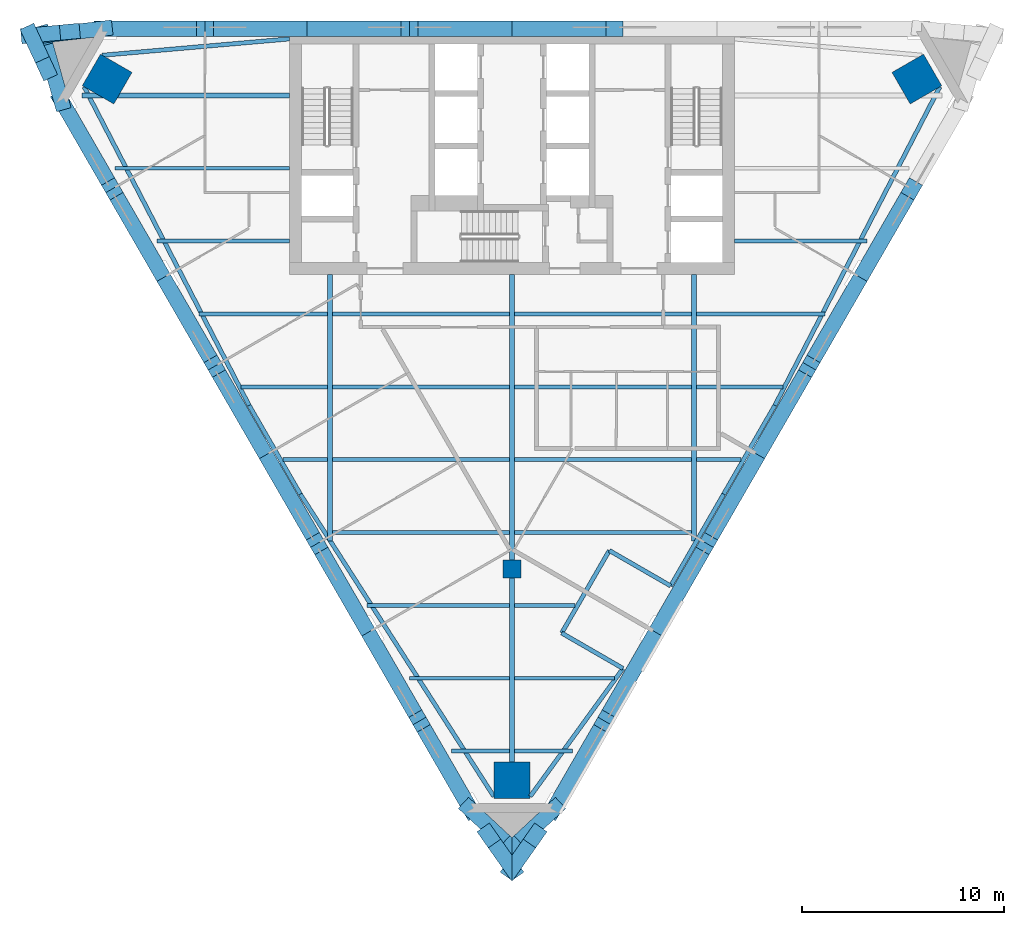
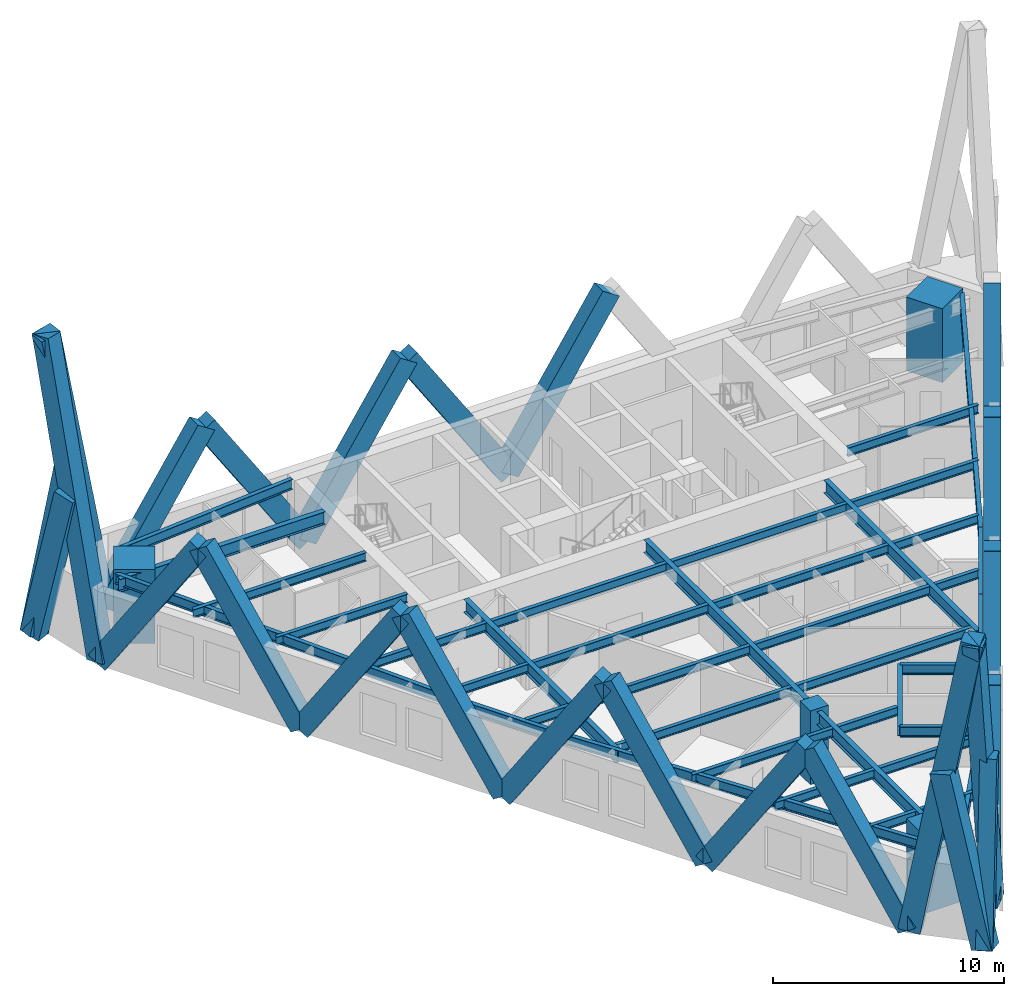
# One storey, part 1 of 8: 39 beams, 28 members, 4 columns.
"""IFC4 building model written with IfcOpenShell, lengths in metres."""

from ifc_helpers import new_model, si_unit, direction, frame, origin, origin_2d, place, context, subcontext, project, spatial, rectangle, i_section, extrude, material, material_profile, profile_set, type_object, element, save


model = new_model("IFC4")

# Units and contexts
model_context = context("Model", 3, precision=1e-05, world=origin(), true_north=direction((0.0, 1.0)))
body_context = subcontext(model_context, "Body", "Model", "MODEL_VIEW")
ifc_project = project(units=[si_unit("LENGTHUNIT", "METRE"), si_unit("AREAUNIT", "SQUARE_METRE"), si_unit("VOLUMEUNIT", "CUBIC_METRE"), si_unit("PLANEANGLEUNIT", "RADIAN"), si_unit("MASSUNIT", "GRAM", prefix="KILO")], contexts=[model_context])

# Site, building, storey
site_placement = place(None, origin())
site = spatial("IfcSite", under=ifc_project, at=site_placement, CompositionType="ELEMENT")
building_placement = place(site_placement, origin())
building = spatial("IfcBuilding", under=site, at=building_placement, Name="Aloe Facet Convention Tower", CompositionType="ELEMENT")
storey_placement = place(building_placement, frame((0.0, 0.0, 159.800048828125)))
storey = spatial("IfcBuildingStorey", under=building, at=storey_placement, Name="L40", CompositionType="ELEMENT", Elevation=159.800048828125)

# Columns
ifc_material_1 = material(Name="Concrete C70/85", Category="concrete")
ifc_material_profile_1 = material_profile(ifc_material_1, rectangle(XDim=0.89990234375, YDim=0.89990234375, at=origin_2d()), Name="SF-GC-Z3")
ifc_profile_set_1 = profile_set([ifc_material_profile_1], Name="Concrete C70/85")
column_type_1 = type_object("IfcColumnType", Name="SF-GC-Z3", PredefinedType="COLUMN", material=ifc_profile_set_1)
column_placement = place(storey_placement, frame((80.0, 108.0, 0.0), z_axis=(0.0, 0.0, 1.0), x_axis=(1.0, 0.0, 0.0)))
element("IfcColumn", 1, at=column_placement, inside=storey, type_object=column_type_1, Name="Gravity column GC-Z3-9D", PredefinedType="COLUMN", context=body_context, shape_type="SweptSolid", body=[
    extrude(rectangle(XDim=0.89990234375, YDim=0.89990234375, at=origin_2d()), origin(), (0.0, 0.0, 1.0), 3.89990234375),
])
ifc_material_2 = material(Name="Concrete C80/95", Category="concrete")
ifc_material_profile_2 = material_profile(ifc_material_2, rectangle(XDim=1.800048828125, YDim=1.800048828125, at=origin_2d()), Name="STW-MC-Z3")
ifc_profile_set_2 = profile_set([ifc_material_profile_2], Name="Concrete C80/95")
column_type_2 = type_object("IfcColumnType", Name="STW-MC-Z3", PredefinedType="COLUMN", material=ifc_profile_set_2)
for number, where, z_axis, x_axis, name in (
    (2, (100.00732421875, 132.208251953125, 0.0), (0.0, 0.0, 1.0), (-0.5, 0.866025403784, 0.0), "Mega-column MC-NE-L40"),
    (3, (59.99267578125, 132.208251953125, 0.0), (0.0, 0.0, 1.0), (-0.5, -0.866025403784, 0.0), "Mega-column MC-NW-L40"),
    (4, (80.0, 97.55419921875, 0.0), (0.0, 0.0, 1.0), (1.0, 0.0, 0.0), "Mega-column MC-S-L40"),
):
    element("IfcColumn", number, at=place(storey_placement, frame(where, z_axis=z_axis, x_axis=x_axis)), inside=storey, type_object=column_type_2, Name=name, PredefinedType="COLUMN", context=body_context, shape_type="SweptSolid", body=[
        extrude(rectangle(XDim=1.800048828125, YDim=1.800048828125, at=origin_2d()), origin(), (0.0, 0.0, 1.0), 3.89990234375),
    ])

# Beams
ifc_material_3 = material(Name="Steel S355", Category="steel")
ifc_material_profile_3 = material_profile(ifc_material_3, i_section(OverallWidth=0.19140625, OverallDepth=0.4599609375, WebThickness=0.010009765625, FlangeThickness=0.01611328125, FilletRadius=0.01025390625, at=origin_2d()), Name="UB 457x191x82")
ifc_profile_set_3 = profile_set([ifc_material_profile_3], Name="Steel S355")
beam_type_1 = type_object("IfcBeamType", Name="SF-B-UB457x191x82", PredefinedType="BEAM", material=ifc_profile_set_3)
beam_1_placement = place(storey_placement, frame((60.373779296875, 127.800048828125, 3.52001953125), z_axis=(1.0, 0.0, 0.0), x_axis=(0.0, 1.0, 0.0)))
element("IfcBeam", 5, at=beam_1_placement, inside=storey, type_object=beam_type_1, Name="Floor beam FB-Z3H-019", PredefinedType="BEAM", context=body_context, shape_type="SweptSolid", body=[
    extrude(i_section(OverallWidth=0.19140625, OverallDepth=0.4599609375, WebThickness=0.010009765625, FlangeThickness=0.01611328125, FilletRadius=0.01025390625, at=origin_2d()), origin(), (0.0, 0.0, 1.0), 8.626220703125),
])
beam_2_placement = place(storey_placement, frame((62.452392578125, 124.199951171875, 3.52001953125), z_axis=(1.0, 0.0, 0.0), x_axis=(0.0, 1.0, 0.0)))
element("IfcBeam", 6, at=beam_2_placement, inside=storey, type_object=beam_type_1, Name="Floor beam FB-Z3H-020", PredefinedType="BEAM", context=body_context, shape_type="SweptSolid", body=[
    extrude(i_section(OverallWidth=0.19140625, OverallDepth=0.4599609375, WebThickness=0.010009765625, FlangeThickness=0.01611328125, FilletRadius=0.01025390625, at=origin_2d()), origin(), (0.0, 0.0, 1.0), 6.547607421875),
])
beam_3_placement = place(storey_placement, frame((64.53076171875, 120.60009765625, 3.52001953125), z_axis=(1.0, 0.0, 0.0), x_axis=(0.0, 1.0, 0.0)))
element("IfcBeam", 7, at=beam_3_placement, inside=storey, type_object=beam_type_1, Name="Floor beam FB-Z3H-021", PredefinedType="BEAM", context=body_context, shape_type="SweptSolid", body=[
    extrude(i_section(OverallWidth=0.19140625, OverallDepth=0.4599609375, WebThickness=0.010009765625, FlangeThickness=0.01611328125, FilletRadius=0.01025390625, at=origin_2d()), origin(), (0.0, 0.0, 1.0), 6.3427734375),
])
beam_4_placement = place(storey_placement, frame((66.609130859375, 117.0, 3.52001953125), z_axis=(1.0, 0.0, 0.0), x_axis=(0.0, 1.0, 0.0)))
element("IfcBeam", 8, at=beam_4_placement, inside=storey, type_object=beam_type_1, Name="Floor beam FB-Z3H-022", PredefinedType="BEAM", context=body_context, shape_type="SweptSolid", body=[
    extrude(i_section(OverallWidth=0.19140625, OverallDepth=0.4599609375, WebThickness=0.010009765625, FlangeThickness=0.01611328125, FilletRadius=0.01025390625, at=origin_2d()), origin(), (0.0, 0.0, 1.0), 4.264404296875),
])
beam_5_placement = place(storey_placement, frame((68.687744140625, 113.39990234375, 3.52001953125), z_axis=(1.0, 0.0, 0.0), x_axis=(0.0, 1.0, 0.0)))
element("IfcBeam", 9, at=beam_5_placement, inside=storey, type_object=beam_type_1, Name="Floor beam FB-Z3H-023", PredefinedType="BEAM", context=body_context, shape_type="SweptSolid", body=[
    extrude(i_section(OverallWidth=0.19140625, OverallDepth=0.4599609375, WebThickness=0.010009765625, FlangeThickness=0.01611328125, FilletRadius=0.01025390625, at=origin_2d()), origin(), (0.0, 0.0, 1.0), 2.185791015625),
])
for number, where, z_axis, x_axis, name in (
    (10, (71.12646484375, 109.800048828125, 3.52001953125), (1.0, 0.0, 0.0), (0.0, 1.0, 0.0), "Floor beam FB-Z3H-024"),
    (11, (71.12646484375, 113.39990234375, 3.52001953125), (1.0, 0.0, 0.0), (0.0, 1.0, 0.0), "Floor beam FB-Z3H-025"),
    (12, (71.12646484375, 117.0, 3.52001953125), (1.0, 0.0, 0.0), (0.0, 1.0, 0.0), "Floor beam FB-Z3H-026"),
    (13, (71.12646484375, 120.60009765625, 3.52001953125), (1.0, 0.0, 0.0), (0.0, 1.0, 0.0), "Floor beam FB-Z3H-027"),
):
    element("IfcBeam", number, at=place(storey_placement, frame(where, z_axis=z_axis, x_axis=x_axis)), inside=storey, type_object=beam_type_1, Name=name, PredefinedType="BEAM", context=body_context, shape_type="SweptSolid", body=[
        extrude(i_section(OverallWidth=0.19140625, OverallDepth=0.4599609375, WebThickness=0.010009765625, FlangeThickness=0.01611328125, FilletRadius=0.01025390625, at=origin_2d()), origin(), (0.0, 0.0, 1.0), 8.7470703125),
    ])
beam_6_placement = place(storey_placement, frame((72.844482421875, 106.199951171875, 3.52001953125), z_axis=(1.0, 0.0, 0.0), x_axis=(0.0, 1.0, 0.0)))
element("IfcBeam", 14, at=beam_6_placement, inside=storey, type_object=beam_type_1, Name="Floor beam FB-Z3H-028", PredefinedType="BEAM", context=body_context, shape_type="SweptSolid", body=[
    extrude(i_section(OverallWidth=0.19140625, OverallDepth=0.4599609375, WebThickness=0.010009765625, FlangeThickness=0.01611328125, FilletRadius=0.01025390625, at=origin_2d()), origin(), (0.0, 0.0, 1.0), 7.029052734375),
])
beam_7_placement = place(storey_placement, frame((74.923095703125, 102.60009765625, 3.52001953125), z_axis=(1.0, 0.0, 0.0), x_axis=(0.0, 1.0, 0.0)))
element("IfcBeam", 15, at=beam_7_placement, inside=storey, type_object=beam_type_1, Name="Floor beam FB-Z3H-029", PredefinedType="BEAM", context=body_context, shape_type="SweptSolid", body=[
    extrude(i_section(OverallWidth=0.19140625, OverallDepth=0.4599609375, WebThickness=0.010009765625, FlangeThickness=0.01611328125, FilletRadius=0.01025390625, at=origin_2d()), origin(), (0.0, 0.0, 1.0), 4.950439453125),
])
for number, where, z_axis, x_axis, name in (
    (16, (77.00146484375, 99.0, 3.52001953125), (1.0, 0.0, 0.0), (0.0, 1.0, 0.0), "Floor beam FB-Z3H-030"),
    (17, (80.12646484375, 99.0, 3.52001953125), (1.0, 0.0, 0.0), (0.0, 1.0, 0.0), "Floor beam FB-Z3H-031"),
):
    element("IfcBeam", number, at=place(storey_placement, frame(where, z_axis=z_axis, x_axis=x_axis)), inside=storey, type_object=beam_type_1, Name=name, PredefinedType="BEAM", context=body_context, shape_type="SweptSolid", body=[
        extrude(i_section(OverallWidth=0.19140625, OverallDepth=0.4599609375, WebThickness=0.010009765625, FlangeThickness=0.01611328125, FilletRadius=0.01025390625, at=origin_2d()), origin(), (0.0, 0.0, 1.0), 2.8720703125),
    ])
beam_8_placement = place(storey_placement, frame((80.12646484375, 102.60009765625, 3.52001953125), z_axis=(1.0, 0.0, 0.0), x_axis=(0.0, 1.0, 0.0)))
element("IfcBeam", 18, at=beam_8_placement, inside=storey, type_object=beam_type_1, Name="Floor beam FB-Z3H-032", PredefinedType="BEAM", context=body_context, shape_type="SweptSolid", body=[
    extrude(i_section(OverallWidth=0.19140625, OverallDepth=0.4599609375, WebThickness=0.010009765625, FlangeThickness=0.01611328125, FilletRadius=0.01025390625, at=origin_2d()), origin(), (0.0, 0.0, 1.0), 4.950439453125),
])
beam_9_placement = place(storey_placement, frame((80.12646484375, 106.199951171875, 3.52001953125), z_axis=(1.0, 0.0, 0.0), x_axis=(0.0, 1.0, 0.0)))
element("IfcBeam", 19, at=beam_9_placement, inside=storey, type_object=beam_type_1, Name="Floor beam FB-Z3H-033", PredefinedType="BEAM", context=body_context, shape_type="SweptSolid", body=[
    extrude(i_section(OverallWidth=0.19140625, OverallDepth=0.4599609375, WebThickness=0.010009765625, FlangeThickness=0.01611328125, FilletRadius=0.01025390625, at=origin_2d()), origin(), (0.0, 0.0, 1.0), 2.987548828125),
])
for number, where, z_axis, x_axis, name in (
    (20, (80.12646484375, 109.800048828125, 3.52001953125), (1.0, 0.0, 0.0), (0.0, 1.0, 0.0), "Floor beam FB-Z3H-034"),
    (21, (80.12646484375, 113.39990234375, 3.52001953125), (1.0, 0.0, 0.0), (0.0, 1.0, 0.0), "Floor beam FB-Z3H-035"),
    (22, (80.12646484375, 117.0, 3.52001953125), (1.0, 0.0, 0.0), (0.0, 1.0, 0.0), "Floor beam FB-Z3H-036"),
    (23, (80.12646484375, 120.60009765625, 3.52001953125), (1.0, 0.0, 0.0), (0.0, 1.0, 0.0), "Floor beam FB-Z3H-037"),
):
    element("IfcBeam", number, at=place(storey_placement, frame(where, z_axis=z_axis, x_axis=x_axis)), inside=storey, type_object=beam_type_1, Name=name, PredefinedType="BEAM", context=body_context, shape_type="SweptSolid", body=[
        extrude(i_section(OverallWidth=0.19140625, OverallDepth=0.4599609375, WebThickness=0.010009765625, FlangeThickness=0.01611328125, FilletRadius=0.01025390625, at=origin_2d()), origin(), (0.0, 0.0, 1.0), 8.7470703125),
    ])
beam_10_placement = place(storey_placement, frame((89.12646484375, 113.39990234375, 3.52001953125), z_axis=(1.0, 0.0, 0.0), x_axis=(0.0, 1.0, 0.0)))
element("IfcBeam", 24, at=beam_10_placement, inside=storey, type_object=beam_type_1, Name="Floor beam FB-Z3H-038", PredefinedType="BEAM", context=body_context, shape_type="SweptSolid", body=[
    extrude(i_section(OverallWidth=0.19140625, OverallDepth=0.4599609375, WebThickness=0.010009765625, FlangeThickness=0.01611328125, FilletRadius=0.01025390625, at=origin_2d()), origin(), (0.0, 0.0, 1.0), 2.185791015625),
])
beam_11_placement = place(storey_placement, frame((89.12646484375, 117.0, 3.52001953125), z_axis=(1.0, 0.0, 0.0), x_axis=(0.0, 1.0, 0.0)))
element("IfcBeam", 25, at=beam_11_placement, inside=storey, type_object=beam_type_1, Name="Floor beam FB-Z3H-039", PredefinedType="BEAM", context=body_context, shape_type="SweptSolid", body=[
    extrude(i_section(OverallWidth=0.19140625, OverallDepth=0.4599609375, WebThickness=0.010009765625, FlangeThickness=0.01611328125, FilletRadius=0.01025390625, at=origin_2d()), origin(), (0.0, 0.0, 1.0), 4.264404296875),
])
beam_12_placement = place(storey_placement, frame((89.12646484375, 120.60009765625, 3.52001953125), z_axis=(1.0, 0.0, 0.0), x_axis=(0.0, 1.0, 0.0)))
element("IfcBeam", 26, at=beam_12_placement, inside=storey, type_object=beam_type_1, Name="Floor beam FB-Z3H-040", PredefinedType="BEAM", context=body_context, shape_type="SweptSolid", body=[
    extrude(i_section(OverallWidth=0.19140625, OverallDepth=0.4599609375, WebThickness=0.010009765625, FlangeThickness=0.01611328125, FilletRadius=0.01025390625, at=origin_2d()), origin(), (0.0, 0.0, 1.0), 6.3427734375),
])
beam_13_placement = place(storey_placement, frame((91.0, 124.199951171875, 3.52001953125), z_axis=(1.0, 0.0, 0.0), x_axis=(0.0, 1.0, 0.0)))
element("IfcBeam", 27, at=beam_13_placement, inside=storey, type_object=beam_type_1, Name="Floor beam FB-Z3H-041", PredefinedType="BEAM", context=body_context, shape_type="SweptSolid", body=[
    extrude(i_section(OverallWidth=0.19140625, OverallDepth=0.4599609375, WebThickness=0.010009765625, FlangeThickness=0.01611328125, FilletRadius=0.01025390625, at=origin_2d()), origin(), (0.0, 0.0, 1.0), 6.547607421875),
])
ifc_material_4 = material(Name="Steel S355", Category="steel")
ifc_material_profile_4 = material_profile(ifc_material_4, i_section(OverallWidth=0.209228515625, OverallDepth=0.533203125, WebThickness=0.010009765625, FlangeThickness=0.015625, FilletRadius=0.0126953125, at=origin_2d()), Name="UB 533x210x92")
ifc_profile_set_4 = profile_set([ifc_material_profile_4], Name="Steel S355")
beam_type_2 = type_object("IfcBeamType", Name="SF-B-UB533x210x92", PredefinedType="BEAM", material=ifc_profile_set_4)
beam_14_placement = place(storey_placement, frame((67.010009765625, 116.0791015625, 3.4833984375), z_axis=(-0.459916083949, 0.887962384184, 0.0), x_axis=(-0.887962384184, -0.459916083949, 0.0)))
element("IfcBeam", 28, at=beam_14_placement, inside=storey, type_object=beam_type_2, Name="Floor beam FB-Z3H-001", PredefinedType="BEAM", context=body_context, shape_type="SweptSolid", body=[
    extrude(i_section(OverallWidth=0.209228515625, OverallDepth=0.533203125, WebThickness=0.010009765625, FlangeThickness=0.015625, FilletRadius=0.0126953125, at=origin_2d()), origin(), (0.0, 0.0, 1.0), 17.734130859375),
])
beam_15_placement = place(storey_placement, frame((69.0, 134.1953125, 3.4833984375), z_axis=(-0.996184118201, -0.087276587035, 0.0), x_axis=(0.087276587035, -0.996184118201, 0.0)))
element("IfcBeam", 29, at=beam_15_placement, inside=storey, type_object=beam_type_2, Name="Floor beam FB-Z3H-002", PredefinedType="BEAM", context=body_context, shape_type="SweptSolid", body=[
    extrude(i_section(OverallWidth=0.209228515625, OverallDepth=0.533203125, WebThickness=0.010009765625, FlangeThickness=0.015625, FilletRadius=0.0126953125, at=origin_2d()), origin(), (0.0, 0.0, 1.0), 9.281494140625),
])
beam_16_placement = place(storey_placement, frame((69.54052734375, 111.6962890625, 3.4833984375), z_axis=(-0.500014760403, 0.866016881694, 0.0), x_axis=(-0.866016881694, -0.500014760403, 0.0)))
element("IfcBeam", 30, at=beam_16_placement, inside=storey, type_object=beam_type_2, Name="Floor beam FB-Z3H-003", PredefinedType="BEAM", context=body_context, shape_type="SweptSolid", body=[
    extrude(i_section(OverallWidth=0.209228515625, OverallDepth=0.533203125, WebThickness=0.010009765625, FlangeThickness=0.015625, FilletRadius=0.0126953125, at=origin_2d()), origin(), (0.0, 0.0, 1.0), 5.060791015625),
])
beam_17_placement = place(storey_placement, frame((69.54052734375, 111.6962890625, 3.4833984375), z_axis=(0.539036507864, -0.842282401092, 0.0), x_axis=(0.842282401092, 0.539036507864, 0.0)))
element("IfcBeam", 31, at=beam_17_placement, inside=storey, type_object=beam_type_2, Name="Floor beam FB-Z3H-004", PredefinedType="BEAM", context=body_context, shape_type="SweptSolid", body=[
    extrude(i_section(OverallWidth=0.209228515625, OverallDepth=0.533203125, WebThickness=0.010009765625, FlangeThickness=0.015625, FilletRadius=0.0126953125, at=origin_2d()), origin(), (0.0, 0.0, 1.0), 17.734619140625),
])
beam_18_placement = place(storey_placement, frame((82.45556640625, 104.8330078125, 3.4833984375), z_axis=(0.866019471182, -0.500010275428, 0.0), x_axis=(0.500010275428, 0.866019471182, 0.0)))
element("IfcBeam", 32, at=beam_18_placement, inside=storey, type_object=beam_type_2, Name="Floor beam FB-Z3H-005", PredefinedType="BEAM", context=body_context, shape_type="SweptSolid", body=[
    extrude(i_section(OverallWidth=0.209228515625, OverallDepth=0.533203125, WebThickness=0.010009765625, FlangeThickness=0.015625, FilletRadius=0.0126953125, at=origin_2d()), origin(), (0.0, 0.0, 1.0), 3.5),
])
beam_19_placement = place(storey_placement, frame((84.810302734375, 108.911376953125, 3.4833984375), z_axis=(-0.500014143148, -0.86601723808, 0.0), x_axis=(0.86601723808, -0.500014143148, 0.0)))
element("IfcBeam", 33, at=beam_19_placement, inside=storey, type_object=beam_type_2, Name="Floor beam FB-Z3H-006", PredefinedType="BEAM", context=body_context, shape_type="SweptSolid", body=[
    extrude(i_section(OverallWidth=0.209228515625, OverallDepth=0.533203125, WebThickness=0.010009765625, FlangeThickness=0.015625, FilletRadius=0.0126953125, at=origin_2d()), origin(), (0.0, 0.0, 1.0), 4.709228515625),
])
beam_20_placement = place(storey_placement, frame((85.486572265625, 103.0830078125, 3.4833984375), z_axis=(-0.587102755847, -0.809512417494, 0.0), x_axis=(0.809512417494, -0.587102755847, 0.0)))
element("IfcBeam", 34, at=beam_20_placement, inside=storey, type_object=beam_type_2, Name="Floor beam FB-Z3H-007", PredefinedType="BEAM", context=body_context, shape_type="SweptSolid", body=[
    extrude(i_section(OverallWidth=0.209228515625, OverallDepth=0.533203125, WebThickness=0.010009765625, FlangeThickness=0.015625, FilletRadius=0.0126953125, at=origin_2d()), origin(), (0.0, 0.0, 1.0), 7.8125),
])
beam_21_placement = place(storey_placement, frame((87.84130859375, 107.161376953125, 3.4833984375), z_axis=(-0.866019471182, 0.500010275428, 0.0), x_axis=(-0.500010275428, -0.866019471182, 0.0)))
element("IfcBeam", 35, at=beam_21_placement, inside=storey, type_object=beam_type_2, Name="Floor beam FB-Z3H-008", PredefinedType="BEAM", context=body_context, shape_type="SweptSolid", body=[
    extrude(i_section(OverallWidth=0.209228515625, OverallDepth=0.533203125, WebThickness=0.010009765625, FlangeThickness=0.015625, FilletRadius=0.0126953125, at=origin_2d()), origin(), (0.0, 0.0, 1.0), 3.5),
])
beam_22_placement = place(storey_placement, frame((90.45947265625, 111.6962890625, 3.4833984375), z_axis=(-0.499990165321, -0.866031081764, 0.0), x_axis=(0.866031081764, -0.499990165321, 0.0)))
element("IfcBeam", 36, at=beam_22_placement, inside=storey, type_object=beam_type_2, Name="Floor beam FB-Z3H-009", PredefinedType="BEAM", context=body_context, shape_type="SweptSolid", body=[
    extrude(i_section(OverallWidth=0.209228515625, OverallDepth=0.533203125, WebThickness=0.010009765625, FlangeThickness=0.015625, FilletRadius=0.0126953125, at=origin_2d()), origin(), (0.0, 0.0, 1.0), 5.236328125),
])
beam_23_placement = place(storey_placement, frame((92.989990234375, 116.0791015625, 3.4833984375), z_axis=(-0.500014760403, -0.866016881694, 0.0), x_axis=(0.866016881694, -0.500014760403, 0.0)))
element("IfcBeam", 37, at=beam_23_placement, inside=storey, type_object=beam_type_2, Name="Floor beam FB-Z3H-011", PredefinedType="BEAM", context=body_context, shape_type="SweptSolid", body=[
    extrude(i_section(OverallWidth=0.209228515625, OverallDepth=0.533203125, WebThickness=0.010009765625, FlangeThickness=0.015625, FilletRadius=0.0126953125, at=origin_2d()), origin(), (0.0, 0.0, 1.0), 5.060791015625),
])
beam_24_placement = place(storey_placement, frame((92.989990234375, 116.0791015625, 3.4833984375), z_axis=(0.459916083949, 0.887962384184, 0.0), x_axis=(-0.887962384184, 0.459916083949, 0.0)))
element("IfcBeam", 38, at=beam_24_placement, inside=storey, type_object=beam_type_2, Name="Floor beam FB-Z3H-012", PredefinedType="BEAM", context=body_context, shape_type="SweptSolid", body=[
    extrude(i_section(OverallWidth=0.209228515625, OverallDepth=0.533203125, WebThickness=0.010009765625, FlangeThickness=0.015625, FilletRadius=0.0126953125, at=origin_2d()), origin(), (0.0, 0.0, 1.0), 17.734130859375),
])
ifc_material_5 = material(Name="Steel S355", Category="steel")
ifc_material_profile_5 = material_profile(ifc_material_5, i_section(OverallWidth=0.2529296875, OverallDepth=0.677978515625, WebThickness=0.01171875, FlangeThickness=0.01611328125, FilletRadius=0.01513671875, at=origin_2d()), Name="UB 686x254x125")
ifc_profile_set_5 = profile_set([ifc_material_profile_5], Name="Steel S355")
beam_type_3 = type_object("IfcBeamType", Name="SF-B-UB686x254x125", PredefinedType="BEAM", material=ifc_profile_set_5)
beam_25_placement = place(storey_placement, frame((58.73828125, 131.39990234375, 3.410888671875), z_axis=(1.0, 0.0, 0.0), x_axis=(0.0, 1.0, 0.0)))
element("IfcBeam", 39, at=beam_25_placement, inside=storey, type_object=beam_type_3, Name="Floor beam FB-Z3H-013", PredefinedType="BEAM", context=body_context, shape_type="SweptSolid", body=[
    extrude(i_section(OverallWidth=0.2529296875, OverallDepth=0.677978515625, WebThickness=0.01171875, FlangeThickness=0.01611328125, FilletRadius=0.01513671875, at=origin_2d()), origin(), (0.0, 0.0, 1.0), 10.26171875),
])
beam_26_placement = place(storey_placement, frame((71.0, 122.550048828125, 3.410888671875), z_axis=(0.0, -1.0, 0.0), x_axis=(1.0, 0.0, 0.0)))
element("IfcBeam", 40, at=beam_26_placement, inside=storey, type_object=beam_type_3, Name="Floor beam FB-Z3H-014", PredefinedType="BEAM", context=body_context, shape_type="SweptSolid", body=[
    extrude(i_section(OverallWidth=0.2529296875, OverallDepth=0.677978515625, WebThickness=0.01171875, FlangeThickness=0.01611328125, FilletRadius=0.01513671875, at=origin_2d()), origin(), (0.0, 0.0, 1.0), 13.162353515625),
])
beam_27_placement = place(storey_placement, frame((80.0, 107.550048828125, 3.410888671875), z_axis=(0.0, -1.0, 0.0), x_axis=(1.0, 0.0, 0.0)))
element("IfcBeam", 41, at=beam_27_placement, inside=storey, type_object=beam_type_3, Name="Floor beam FB-Z3H-015", PredefinedType="BEAM", context=body_context, shape_type="SweptSolid", body=[
    extrude(i_section(OverallWidth=0.2529296875, OverallDepth=0.677978515625, WebThickness=0.01171875, FlangeThickness=0.01611328125, FilletRadius=0.01513671875, at=origin_2d()), origin(), (0.0, 0.0, 1.0), 10.676513671875),
])
beam_28_placement = place(storey_placement, frame((80.0, 122.550048828125, 3.410888671875), z_axis=(0.0, -1.0, 0.0), x_axis=(1.0, 0.0, 0.0)))
element("IfcBeam", 42, at=beam_28_placement, inside=storey, type_object=beam_type_3, Name="Floor beam FB-Z3H-016", PredefinedType="BEAM", context=body_context, shape_type="SweptSolid", body=[
    extrude(i_section(OverallWidth=0.2529296875, OverallDepth=0.677978515625, WebThickness=0.01171875, FlangeThickness=0.01611328125, FilletRadius=0.01513671875, at=origin_2d()), origin(), (0.0, 0.0, 1.0), 14.10009765625),
])
beam_29_placement = place(storey_placement, frame((89.0, 122.550048828125, 3.410888671875), z_axis=(0.0, -1.0, 0.0), x_axis=(1.0, 0.0, 0.0)))
element("IfcBeam", 43, at=beam_29_placement, inside=storey, type_object=beam_type_3, Name="Floor beam FB-Z3H-017", PredefinedType="BEAM", context=body_context, shape_type="SweptSolid", body=[
    extrude(i_section(OverallWidth=0.2529296875, OverallDepth=0.677978515625, WebThickness=0.01171875, FlangeThickness=0.01611328125, FilletRadius=0.01513671875, at=origin_2d()), origin(), (0.0, 0.0, 1.0), 13.162353515625),
])

# Members
ifc_material_6 = material(Name="Concrete C60/75, bronze oxide finish", Category="concrete")
ifc_material_profile_6 = material_profile(ifc_material_6, rectangle(XDim=0.75, YDim=1.0, at=origin_2d()), Name="STW-LM")
ifc_profile_set_6 = profile_set([ifc_material_profile_6], Name="Concrete C60/75, bronze oxide finish")
member_type = type_object("IfcMemberType", Name="STW-LM", PredefinedType="BRACE", material=ifc_profile_set_6)
for number, where, z_axis, x_axis, name in (
    (44, (80.0, 134.699951171875, 0.0), (0.544289502455, 0.0, 0.838897453517), (0.0, 1.0, 0.0), "Lattice member LM-Z3-F1-R4-04"),
    (45, (80.0, 134.699951171875, 0.0), (-0.544289502455, 0.0, 0.838897453517), (0.0, -1.0, 0.0), "Lattice member LM-Z3-F1-R4-05"),
    (46, (69.87841796875, 134.699951171875, 0.0), (0.544289502455, 0.0, 0.838897453517), (0.0, 1.0, 0.0), "Lattice member LM-Z3-F1-R4-06"),
    (47, (69.87841796875, 134.699951171875, 0.0), (-0.544289502455, 0.0, 0.838897453517), (0.0, -1.0, 0.0), "Lattice member LM-Z3-F1-R4-07"),
    (48, (59.7568359375, 134.699951171875, 0.0), (0.544289502455, 0.0, 0.838897453517), (0.0, 1.0, 0.0), "Lattice member LM-Z3-F1-R4-08"),
):
    element("IfcMember", number, at=place(storey_placement, frame(where, z_axis=z_axis, x_axis=x_axis)), inside=storey, type_object=member_type, Name=name, PredefinedType="BRACE", context=body_context, shape_type="SweptSolid", body=[
        extrude(rectangle(XDim=0.75, YDim=1.0, at=origin_2d()), origin(), (0.0, 0.0, 1.0), 9.298095703125),
    ])
for number, where, z_axis, x_axis, name in (
    (49, (57.716796875, 131.166259765625, 0.0), (0.272132057907, -0.471373475835, 0.838898795647), (0.866037770685, 0.499978579288, 0.0), "Lattice member LM-Z3-F2-R4-01"),
    (50, (62.777587890625, 122.40087890625, 0.0), (-0.272159738981, 0.47134968398, 0.83890318386), (-0.866004820053, -0.500035650373, 0.0), "Lattice member LM-Z3-F2-R4-02"),
    (51, (62.777587890625, 122.40087890625, 0.0), (0.272132057907, -0.471373475835, 0.838898795647), (0.866037770685, 0.499978579288, 0.0), "Lattice member LM-Z3-F2-R4-03"),
):
    element("IfcMember", number, at=place(storey_placement, frame(where, z_axis=z_axis, x_axis=x_axis)), inside=storey, type_object=member_type, Name=name, PredefinedType="BRACE", context=body_context, shape_type="SweptSolid", body=[
        extrude(rectangle(XDim=0.75, YDim=1.0, at=origin_2d()), origin(), (0.0, 0.0, 1.0), 9.2978515625),
    ])
member_1_placement = place(storey_placement, frame((67.83837890625, 113.63525390625, 0.0), z_axis=(-0.272156370565, 0.471370107514, 0.838892801079), x_axis=(-0.866016881694, -0.500014760403, 0.0)))
element("IfcMember", 52, at=member_1_placement, inside=storey, type_object=member_type, Name="Lattice member LM-Z3-F2-R4-04", PredefinedType="BRACE", context=body_context, shape_type="SweptSolid", body=[
    extrude(rectangle(XDim=0.75, YDim=1.0, at=origin_2d()), origin(), (0.0, 0.0, 1.0), 9.298095703125),
])
for number, where, z_axis, x_axis, name in (
    (53, (67.83837890625, 113.63525390625, 0.0), (0.272132057907, -0.471373475835, 0.838898795647), (0.866037770685, 0.499978579288, 0.0), "Lattice member LM-Z3-F2-R4-05"),
    (54, (72.89892578125, 104.869873046875, 0.0), (-0.272135426071, 0.471353052238, 0.83890917865), (-0.866025710499, -0.499999468754, 0.0), "Lattice member LM-Z3-F2-R4-06"),
):
    element("IfcMember", number, at=place(storey_placement, frame(where, z_axis=z_axis, x_axis=x_axis)), inside=storey, type_object=member_type, Name=name, PredefinedType="BRACE", context=body_context, shape_type="SweptSolid", body=[
        extrude(rectangle(XDim=0.75, YDim=1.0, at=origin_2d()), origin(), (0.0, 0.0, 1.0), 9.2978515625),
    ])
member_2_placement = place(storey_placement, frame((72.89892578125, 104.869873046875, 0.0), z_axis=(0.272156370565, -0.471370107514, 0.838892801079), x_axis=(0.866016881694, 0.500014760403, 0.0)))
element("IfcMember", 55, at=member_2_placement, inside=storey, type_object=member_type, Name="Lattice member LM-Z3-F2-R4-07", PredefinedType="BRACE", context=body_context, shape_type="SweptSolid", body=[
    extrude(rectangle(XDim=0.75, YDim=1.0, at=origin_2d()), origin(), (0.0, 0.0, 1.0), 9.298095703125),
])
for number, where, z_axis, x_axis, name in (
    (56, (77.959716796875, 96.104248046875, 0.0), (-0.272132057907, 0.471373475835, 0.838898795647), (-0.866037770685, -0.499978579288, 0.0), "Lattice member LM-Z3-F2-R4-08"),
    (57, (82.040283203125, 96.104248046875, 0.0), (0.272132057907, 0.471373475835, 0.838898795647), (-0.866037770685, 0.499978579288, 0.0), "Lattice member LM-Z3-F3-R4-01"),
):
    element("IfcMember", number, at=place(storey_placement, frame(where, z_axis=z_axis, x_axis=x_axis)), inside=storey, type_object=member_type, Name=name, PredefinedType="BRACE", context=body_context, shape_type="SweptSolid", body=[
        extrude(rectangle(XDim=0.75, YDim=1.0, at=origin_2d()), origin(), (0.0, 0.0, 1.0), 9.2978515625),
    ])
member_3_placement = place(storey_placement, frame((87.10107421875, 104.869873046875, 0.0), z_axis=(-0.272156370565, -0.471370107514, 0.838892801079), x_axis=(0.866016881694, -0.500014760403, 0.0)))
element("IfcMember", 58, at=member_3_placement, inside=storey, type_object=member_type, Name="Lattice member LM-Z3-F3-R4-02", PredefinedType="BRACE", context=body_context, shape_type="SweptSolid", body=[
    extrude(rectangle(XDim=0.75, YDim=1.0, at=origin_2d()), origin(), (0.0, 0.0, 1.0), 9.298095703125),
])
for number, where, z_axis, x_axis, name in (
    (59, (87.10107421875, 104.869873046875, 0.0), (0.272135426071, 0.471353052238, 0.83890917865), (-0.866025710499, 0.499999468754, 0.0), "Lattice member LM-Z3-F3-R4-03"),
    (60, (92.16162109375, 113.63525390625, 0.0), (-0.272132057907, -0.471373475835, 0.838898795647), (0.866037770685, -0.499978579288, 0.0), "Lattice member LM-Z3-F3-R4-04"),
):
    element("IfcMember", number, at=place(storey_placement, frame(where, z_axis=z_axis, x_axis=x_axis)), inside=storey, type_object=member_type, Name=name, PredefinedType="BRACE", context=body_context, shape_type="SweptSolid", body=[
        extrude(rectangle(XDim=0.75, YDim=1.0, at=origin_2d()), origin(), (0.0, 0.0, 1.0), 9.2978515625),
    ])
member_4_placement = place(storey_placement, frame((92.16162109375, 113.63525390625, 0.0), z_axis=(0.272156370565, 0.471370107514, 0.838892801079), x_axis=(-0.866016881694, 0.500014760403, 0.0)))
element("IfcMember", 61, at=member_4_placement, inside=storey, type_object=member_type, Name="Lattice member LM-Z3-F3-R4-05", PredefinedType="BRACE", context=body_context, shape_type="SweptSolid", body=[
    extrude(rectangle(XDim=0.75, YDim=1.0, at=origin_2d()), origin(), (0.0, 0.0, 1.0), 9.298095703125),
])
for number, where, z_axis, x_axis, name in (
    (62, (97.222412109375, 122.40087890625, 0.0), (-0.272132057907, -0.471373475835, 0.838898795647), (0.866037770685, -0.499978579288, 0.0), "Lattice member LM-Z3-F3-R4-06"),
    (63, (97.222412109375, 122.40087890625, 0.0), (0.272159738981, 0.47134968398, 0.83890318386), (-0.866004820053, 0.500035650373, 0.0), "Lattice member LM-Z3-F3-R4-07"),
):
    element("IfcMember", number, at=place(storey_placement, frame(where, z_axis=z_axis, x_axis=x_axis)), inside=storey, type_object=member_type, Name=name, PredefinedType="BRACE", context=body_context, shape_type="SweptSolid", body=[
        extrude(rectangle(XDim=0.75, YDim=1.0, at=origin_2d()), origin(), (0.0, 0.0, 1.0), 9.2978515625),
    ])
member_5_placement = place(storey_placement, frame((59.7568359375, 134.699951171875, 0.0), z_axis=(-0.185142656719, -0.021265035648, 0.982481549405), x_axis=(0.114107368956, -0.993468423429, 0.0)))
element("IfcMember", 64, at=member_5_placement, inside=storey, type_object=member_type, Name="Lattice member LM-Z3-F4-R4-01", PredefinedType="BRACE", context=body_context, shape_type="SweptSolid", body=[
    extrude(rectangle(XDim=0.75, YDim=1.0, at=origin_2d()), origin(), (0.0, 0.0, 1.0), 15.8779296875),
])
member_6_placement = place(storey_placement, frame((56.231201171875, 134.3701171875, 0.0), z_axis=(0.22039805421, 0.020619418825, 0.975192051479), x_axis=(-0.093148599486, 0.995652217601, 0.0)))
element("IfcMember", 65, at=member_6_placement, inside=storey, type_object=member_type, Name="Lattice member LM-Z3-F4-R4-02", PredefinedType="BRACE", context=body_context, shape_type="SweptSolid", body=[
    extrude(rectangle(XDim=0.75, YDim=1.0, at=origin_2d()), origin(), (0.0, 0.0, 1.0), 8.714599609375),
])
member_7_placement = place(storey_placement, frame((57.716796875, 131.166259765625, 0.0), z_axis=(-0.056407450949, 0.20038804352, 0.97809142287), x_axis=(-0.962590427977, -0.270960639149, 0.0)))
element("IfcMember", 66, at=member_7_placement, inside=storey, type_object=member_type, Name="Lattice member LM-Z3-F4-R4-03", PredefinedType="BRACE", context=body_context, shape_type="SweptSolid", body=[
    extrude(rectangle(XDim=0.75, YDim=1.0, at=origin_2d()), origin(), (0.0, 0.0, 1.0), 15.94921875),
])
member_8_placement = place(storey_placement, frame((56.231201171875, 134.3701171875, 0.0), z_axis=(0.092887571698, -0.200309177081, 0.97531950283), x_axis=(0.9072045484, 0.42068979945, 0.0)))
element("IfcMember", 67, at=member_8_placement, inside=storey, type_object=member_type, Name="Lattice member LM-Z3-F4-R4-04", PredefinedType="BRACE", context=body_context, shape_type="SweptSolid", body=[
    extrude(rectangle(XDim=0.75, YDim=1.0, at=origin_2d()), origin(), (0.0, 0.0, 1.0), 8.247802734375),
])
member_9_placement = place(storey_placement, frame((77.959716796875, 96.104248046875, 0.0), z_axis=(0.128748995107, -0.119875066523, 0.984405233979), x_axis=(0.68143470435, 0.731878913283, 0.0)))
element("IfcMember", 68, at=member_9_placement, inside=storey, type_object=member_type, Name="Lattice member LM-Z3-F5-R4-01", PredefinedType="BRACE", context=body_context, shape_type="SweptSolid", body=[
    extrude(rectangle(XDim=0.75, YDim=1.0, at=origin_2d()), origin(), (0.0, 0.0, 1.0), 15.846923828125),
])
member_10_placement = place(storey_placement, frame((80.0, 93.201416015625, 0.0), z_axis=(-0.12752994306, 0.181431546901, 0.975099332075), x_axis=(-0.818112134033, -0.575058724087, 0.0)))
element("IfcMember", 69, at=member_10_placement, inside=storey, type_object=member_type, Name="Lattice member LM-Z3-F5-R4-02", PredefinedType="BRACE", context=body_context, shape_type="SweptSolid", body=[
    extrude(rectangle(XDim=0.75, YDim=1.0, at=origin_2d()), origin(), (0.0, 0.0, 1.0), 8.97265625),
])
member_11_placement = place(storey_placement, frame((82.040283203125, 96.104248046875, 0.0), z_axis=(-0.128748995107, -0.119875066523, 0.984405233979), x_axis=(0.68143470435, -0.731878913283, 0.0)))
element("IfcMember", 70, at=member_11_placement, inside=storey, type_object=member_type, Name="Lattice member LM-Z3-F5-R4-03", PredefinedType="BRACE", context=body_context, shape_type="SweptSolid", body=[
    extrude(rectangle(XDim=0.75, YDim=1.0, at=origin_2d()), origin(), (0.0, 0.0, 1.0), 15.846923828125),
])
member_12_placement = place(storey_placement, frame((80.0, 93.201416015625, 0.0), z_axis=(0.12752994306, 0.181431546901, 0.975099332075), x_axis=(-0.818112134033, 0.575058724087, 0.0)))
element("IfcMember", 71, at=member_12_placement, inside=storey, type_object=member_type, Name="Lattice member LM-Z3-F5-R4-04", PredefinedType="BRACE", context=body_context, shape_type="SweptSolid", body=[
    extrude(rectangle(XDim=0.75, YDim=1.0, at=origin_2d()), origin(), (0.0, 0.0, 1.0), 8.97265625),
])

save(model, "model.ifc")
